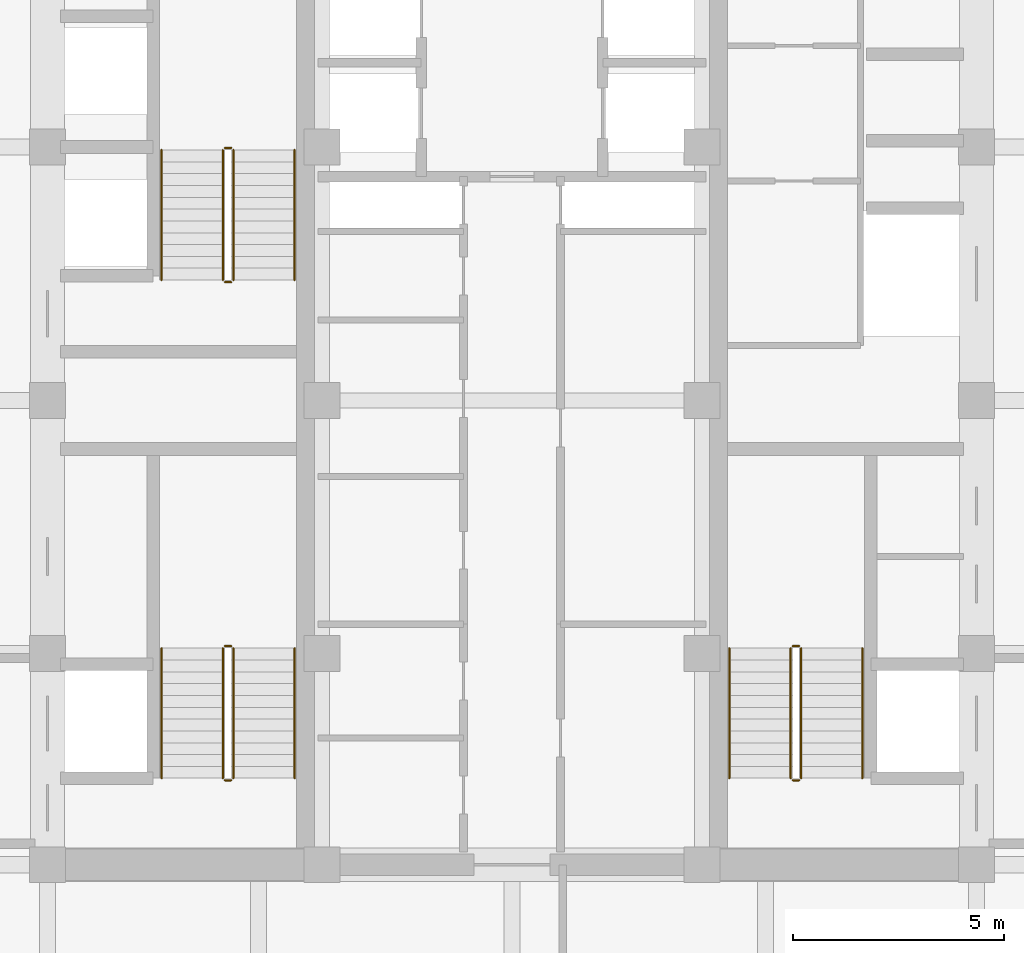
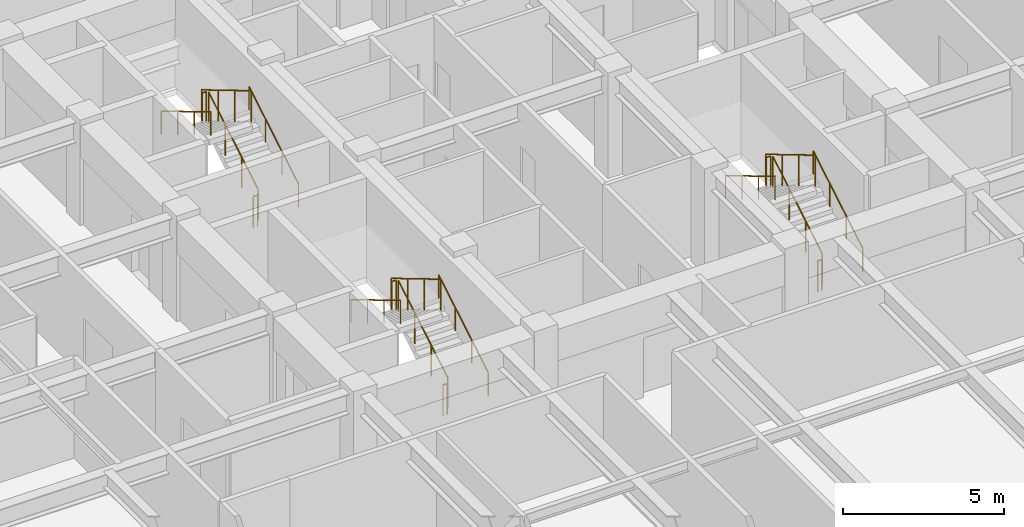
# One storey, part 24 of 24: 18 railings.
"""IFC4 building model written with IfcOpenShell, lengths in metres."""

from ifc_helpers import new_model, si_unit, direction, frame, origin, origin_2d, place, context, subcontext, project, spatial, circle, extrude, source, transform, mapped, material, type_object, element, save


model = new_model("IFC4")

# Units and contexts
model_context = context("Model", 3, precision=1e-05, world=origin(), true_north=direction((0.0, 1.0)))
body_context = subcontext(model_context, "Body", "Model", "MODEL_VIEW")
ifc_project = project(units=[si_unit("LENGTHUNIT", "METRE"), si_unit("AREAUNIT", "SQUARE_METRE"), si_unit("VOLUMEUNIT", "CUBIC_METRE"), si_unit("PLANEANGLEUNIT", "RADIAN"), si_unit("MASSUNIT", "GRAM", prefix="KILO")], contexts=[model_context])

# Site, building, storey
site_placement = place(None, origin())
site = spatial("IfcSite", under=ifc_project, at=site_placement, CompositionType="ELEMENT")
building_placement = place(site_placement, origin())
building = spatial("IfcBuilding", under=site, at=building_placement, Name="Khorayat Bourse Tower", CompositionType="ELEMENT")
storey_placement = place(building_placement, frame((0.0, 0.0, 179.10009765625)))
storey = spatial("IfcBuildingStorey", under=building, at=storey_placement, Name="L41", CompositionType="ELEMENT", Elevation=179.10009765625)

# Railings
ifc_material_1 = material(Name="Powder-coated steel balustrade", Category="steel")
railing_type_1 = type_object("IfcRailingType", Name="RLG-GUARD-1200", PredefinedType="GUARDRAIL", material=ifc_material_1)
shared_shape_1 = source(origin(), body_context, "Body", "SweptSolid", [
    extrude(circle(Radius=0.02392578125, at=origin_2d()), frame((0.0, 0.0, 1.17578125), z_axis=(-1.0, 0.0, 0.0), x_axis=(0.0, -1.0, 0.0)), (0.0, 0.0, 1.0), 0.150146484375),
    extrude(circle(Radius=0.02099609375, at=origin_2d()), origin(), (0.0, 0.0, 1.0), 1.15185546875),
    extrude(circle(Radius=0.02099609375, at=origin_2d()), frame((-0.150146484375, 0.0, 0.0)), (0.0, 0.0, 1.0), 1.15185546875),
])
for number, where, name in (
    (1, (-6.64990234375, -5.820068359375, 2.0), "L41 ST-1 stair guard 2"),
    (2, (-6.64990234375, -9.0, 0.0), "L41 ST-1 stair guard 4"),
    (3, (-6.64990234375, 5.97998046875, 2.0), "L41 ST-2 stair guard 2"),
    (4, (-6.64990234375, 2.800048828125, 0.0), "L41 ST-2 stair guard 4"),
    (5, (6.800048828125, -5.820068359375, 2.0), "L41 ST-3 stair guard 2"),
    (6, (6.800048828125, -9.0, 0.0), "L41 ST-3 stair guard 4"),
):
    element("IfcRailing", number, at=place(storey_placement, frame(where)), inside=storey, type_object=railing_type_1, Name=name, PredefinedType="GUARDRAIL", context=body_context, shape_type="MappedRepresentation", body=[
        mapped(shared_shape_1, transform((0.0, 0.0, 0.0), scale=1.0)),
    ])
shared_shape_2 = source(origin(), body_context, "Body", "SweptSolid", [
    extrude(circle(Radius=0.02392578125, at=origin_2d()), frame((0.0, 0.0, 1.17578125), z_axis=(0.0, 0.859260807169, 0.511537745687), x_axis=(-1.0, 0.0, 0.0)), (0.0, 0.0, 1.0), 3.584228515625),
    extrude(circle(Radius=0.02099609375, at=origin_2d()), origin(), (0.0, 0.0, 1.0), 1.15185546875),
    extrude(circle(Radius=0.02099609375, at=origin_2d()), frame((0.0, 1.026611328125, 0.611083984375)), (0.0, 0.0, 1.0), 1.15185546875),
    extrude(circle(Radius=0.02099609375, at=origin_2d()), frame((0.0, 2.05322265625, 1.222412109375)), (0.0, 0.0, 1.0), 1.15185546875),
    extrude(circle(Radius=0.02099609375, at=origin_2d()), frame((0.0, 3.079833984375, 1.83349609375)), (0.0, 0.0, 1.0), 1.15185546875),
])
for number, where, name in (
    (7, (-6.60009765625, -8.949951171875, 0.16650390625), "L41 ST-1 stair guard 1"),
    (8, (-6.60009765625, 2.85009765625, 0.16650390625), "L41 ST-2 stair guard 1"),
    (9, (6.85009765625, -8.949951171875, 0.16650390625), "L41 ST-3 stair guard 1"),
):
    element("IfcRailing", number, at=place(storey_placement, frame(where)), inside=storey, type_object=railing_type_1, Name=name, PredefinedType="GUARDRAIL", context=body_context, shape_type="MappedRepresentation", body=[
        mapped(shared_shape_2, transform((0.0, 0.0, 0.0), scale=1.0)),
    ])
shared_shape_3 = source(origin(), body_context, "Body", "SweptSolid", [
    extrude(circle(Radius=0.02392578125, at=origin_2d()), frame((0.0, 0.0, 1.17578125), z_axis=(0.0, -0.859260807169, 0.511537745687), x_axis=(1.0, 0.0, 0.0)), (0.0, 0.0, 1.0), 3.584228515625),
    extrude(circle(Radius=0.02099609375, at=origin_2d()), origin(), (0.0, 0.0, 1.0), 1.15185546875),
    extrude(circle(Radius=0.02099609375, at=origin_2d()), frame((0.0, -1.026611328125, 0.611083984375)), (0.0, 0.0, 1.0), 1.15185546875),
    extrude(circle(Radius=0.02099609375, at=origin_2d()), frame((0.0, -2.05322265625, 1.222412109375)), (0.0, 0.0, 1.0), 1.15185546875),
    extrude(circle(Radius=0.02099609375, at=origin_2d()), frame((0.0, -3.079833984375, 1.83349609375)), (0.0, 0.0, 1.0), 1.15185546875),
])
for number, where, name in (
    (10, (-6.85009765625, -5.8701171875, 2.16650390625), "L41 ST-1 stair guard 3"),
    (11, (-6.85009765625, 5.929931640625, 2.16650390625), "L41 ST-2 stair guard 3"),
    (12, (6.60009765625, -5.8701171875, 2.16650390625), "L41 ST-3 stair guard 3"),
):
    element("IfcRailing", number, at=place(storey_placement, frame(where)), inside=storey, type_object=railing_type_1, Name=name, PredefinedType="GUARDRAIL", context=body_context, shape_type="MappedRepresentation", body=[
        mapped(shared_shape_3, transform((0.0, 0.0, 0.0), scale=1.0)),
    ])
ifc_material_2 = material(Name="Brushed bronze stainless-steel handrail", Category="steel")
railing_type_2 = type_object("IfcRailingType", Name="RLG-HAND-900", PredefinedType="HANDRAIL", material=ifc_material_2)
shared_shape_4 = source(origin(), body_context, "Body", "SweptSolid", [
    extrude(circle(Radius=0.02392578125, at=origin_2d()), frame((0.0, 0.0, 0.8759765625), z_axis=(0.0, 0.859260807169, 0.511537745687), x_axis=(-1.0, 0.0, 0.0)), (0.0, 0.0, 1.0), 3.584228515625),
    extrude(circle(Radius=0.02099609375, at=origin_2d()), origin(), (0.0, 0.0, 1.0), 0.851806640625),
    extrude(circle(Radius=0.02099609375, at=origin_2d()), frame((0.0, 1.026611328125, 0.611083984375)), (0.0, 0.0, 1.0), 0.851806640625),
    extrude(circle(Radius=0.02099609375, at=origin_2d()), frame((0.0, 2.05322265625, 1.222412109375)), (0.0, 0.0, 1.0), 0.851806640625),
    extrude(circle(Radius=0.02099609375, at=origin_2d()), frame((0.0, 3.079833984375, 1.83349609375)), (0.0, 0.0, 1.0), 0.851806640625),
])
for number, where, name in (
    (13, (-5.14990234375, -8.949951171875, 0.16650390625), "L41 ST-1 stair handrail 1"),
    (14, (-5.14990234375, 2.85009765625, 0.16650390625), "L41 ST-2 stair handrail 1"),
    (15, (8.300048828125, -8.949951171875, 0.16650390625), "L41 ST-3 stair handrail 1"),
):
    element("IfcRailing", number, at=place(storey_placement, frame(where)), inside=storey, type_object=railing_type_2, Name=name, PredefinedType="HANDRAIL", context=body_context, shape_type="MappedRepresentation", body=[
        mapped(shared_shape_4, transform((0.0, 0.0, 0.0), scale=1.0)),
    ])
shared_shape_5 = source(origin(), body_context, "Body", "SweptSolid", [
    extrude(circle(Radius=0.02392578125, at=origin_2d()), frame((0.0, 0.0, 0.8759765625), z_axis=(0.0, -0.859260807169, 0.511537745687), x_axis=(1.0, 0.0, 0.0)), (0.0, 0.0, 1.0), 3.584228515625),
    extrude(circle(Radius=0.02099609375, at=origin_2d()), origin(), (0.0, 0.0, 1.0), 0.851806640625),
    extrude(circle(Radius=0.02099609375, at=origin_2d()), frame((0.0, -1.026611328125, 0.611083984375)), (0.0, 0.0, 1.0), 0.851806640625),
    extrude(circle(Radius=0.02099609375, at=origin_2d()), frame((0.0, -2.05322265625, 1.222412109375)), (0.0, 0.0, 1.0), 0.851806640625),
    extrude(circle(Radius=0.02099609375, at=origin_2d()), frame((0.0, -3.079833984375, 1.83349609375)), (0.0, 0.0, 1.0), 0.851806640625),
])
for number, where, name in (
    (16, (-8.300048828125, -5.8701171875, 2.16650390625), "L41 ST-1 stair handrail 2"),
    (17, (-8.300048828125, 5.929931640625, 2.16650390625), "L41 ST-2 stair handrail 2"),
    (18, (5.14990234375, -5.8701171875, 2.16650390625), "L41 ST-3 stair handrail 2"),
):
    element("IfcRailing", number, at=place(storey_placement, frame(where)), inside=storey, type_object=railing_type_2, Name=name, PredefinedType="HANDRAIL", context=body_context, shape_type="MappedRepresentation", body=[
        mapped(shared_shape_5, transform((0.0, 0.0, 0.0), scale=1.0)),
    ])

save(model, "model.ifc")
